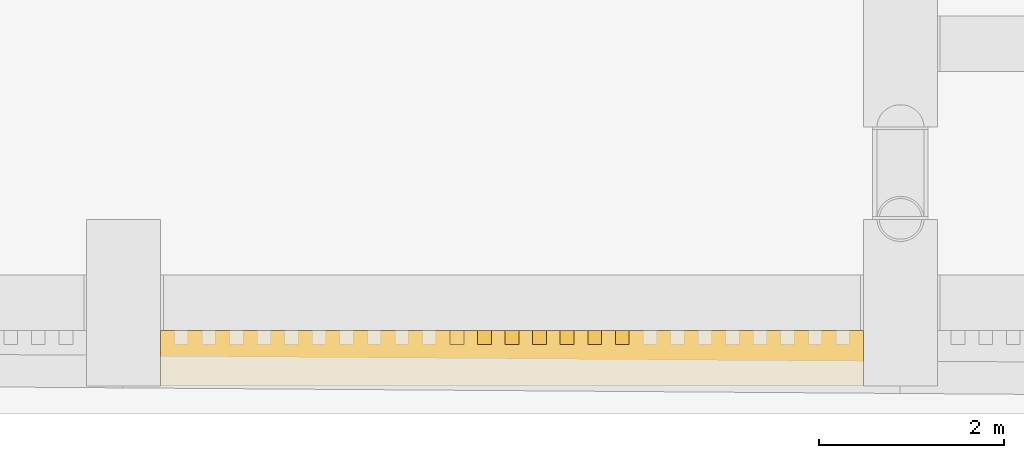
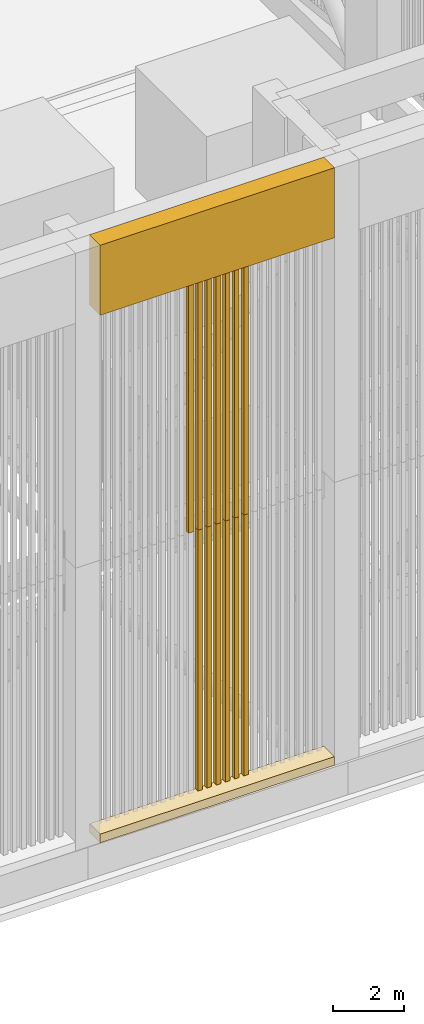
# One storey, part 12 of 27: 13 shading devices, 2 coverings.
"""IFC4 building model written with IfcOpenShell, lengths in metres."""

import ifcopenshell
import ifcopenshell.guid

model = None  # the IFC model being written
_history = None  # IfcOwnerHistory: only IFC2X3 demands one
_inside = {}  # id of a spatial element -> (the spatial element, [elements in it])
_under = {}  # id of a project, library or spatial element -> (it, [spatial elements below it])
_declared = {}  # id of a project -> (the project, [libraries it declares])
_typed = {}  # id of a type object -> (the type object, [elements of that type])
_made_of = {}  # id of a material, layer set ... -> (it, [elements and type objects made of it])


def new_model(schema):
    """Start an empty IFC model of exactly this schema.

    Asked for "IFC4X3", IfcOpenShell would pick the latest addendum, in which some entities
    have other attributes; the version numbers below select the first issue.
    IFC2X3 requires an IfcOwnerHistory on every rooted entity: one is made here for all.
    """
    global model, _history
    if schema == "IFC4X3":
        model = ifcopenshell.file(schema_version=(4, 3, 0, 0))
    else:
        model = ifcopenshell.file(schema=schema)
    _inside.clear()
    _under.clear()
    _declared.clear()
    _typed.clear()
    _made_of.clear()
    _history = None
    if model.schema == "IFC2X3":
        org = make("IfcOrganization", Name="unknown")
        user = make(
            "IfcPersonAndOrganization",
            ThePerson=make("IfcPerson", FamilyName="unknown"),
            TheOrganization=org,
        )
        app = make(
            "IfcApplication",
            ApplicationDeveloper=org,
            Version="unknown",
            ApplicationFullName="unknown",
            ApplicationIdentifier="unknown",
        )
        _history = make(
            "IfcOwnerHistory",
            OwningUser=user,
            OwningApplication=app,
            ChangeAction="ADDED",
            CreationDate=0,
        )
    return model


def make(cls, **values):
    """One entity of the class cls with the attributes given. An attribute that is None is left unset."""
    return model.create_entity(
        cls, **{name: value for name, value in values.items() if value is not None}
    )


def rooted(cls, **values):
    """An entity with a GlobalId (a new one), such as an element, a storey or a relation."""
    return make(cls, GlobalId=ifcopenshell.guid.new(), OwnerHistory=_history, **values)


def si_unit(unit_type, name, prefix=None):
    """IfcSIUnit, for example si_unit("LENGTHUNIT", "METRE", prefix="MILLI")."""
    return make("IfcSIUnit", UnitType=unit_type, Prefix=prefix, Name=name)


def assignment(units):
    """IfcUnitAssignment: the units of a project."""
    return None if units is None else make("IfcUnitAssignment", Units=units)


def point(xyz):
    """IfcCartesianPoint."""
    return None if xyz is None else make("IfcCartesianPoint", Coordinates=xyz)


def direction(xyz):
    """IfcDirection."""
    return None if xyz is None else make("IfcDirection", DirectionRatios=xyz)


def frame(location, z_axis=None, x_axis=None):
    """IfcAxis2Placement3D, a coordinate frame: its origin and axes. An axis left out is left unset."""
    return make(
        "IfcAxis2Placement3D",
        Location=point(location),
        Axis=direction(z_axis),
        RefDirection=direction(x_axis),
    )


def frame_2d(location, x_axis=None):
    """IfcAxis2Placement2D, a coordinate frame in the plane: its origin and x axis."""
    return make(
        "IfcAxis2Placement2D", Location=point(location), RefDirection=direction(x_axis)
    )


def origin():
    """The frame at (0, 0, 0) with its axes left unset."""
    return frame((0.0, 0.0, 0.0))


def origin_2d():
    """The frame at (0, 0) in the plane with its x axis left unset."""
    return frame_2d((0.0, 0.0))


def place(relative_to, where):
    """IfcLocalPlacement: puts the frame where relative to a parent placement (None: the world)."""
    return make(
        "IfcLocalPlacement", PlacementRelTo=relative_to, RelativePlacement=where
    )


def context(
    kind, dimensions, precision=None, world=None, true_north=None, identifier=None
):
    """IfcGeometricRepresentationContext, for example the 3D "Model" context."""
    return make(
        "IfcGeometricRepresentationContext",
        ContextIdentifier=identifier,
        ContextType=kind,
        CoordinateSpaceDimension=dimensions,
        Precision=precision,
        WorldCoordinateSystem=world,
        TrueNorth=true_north,
    )


def subcontext(parent, identifier, kind, view, scale=None):
    """IfcGeometricRepresentationSubContext, for example "Body" below "Model"."""
    return make(
        "IfcGeometricRepresentationSubContext",
        ContextIdentifier=identifier,
        ContextType=kind,
        ParentContext=parent,
        TargetScale=scale,
        TargetView=view,
    )


def project(units=None, contexts=None):
    """IfcProject with its units and contexts."""
    return rooted(
        "IfcProject",
        Name="project",
        RepresentationContexts=contexts,
        UnitsInContext=assignment(units),
    )


def spatial(cls, under=None, at=None, **own):
    """A site, building, storey or space (cls), placed at a placement, below another one or the project."""
    s = rooted(cls, ObjectPlacement=at, **own)
    if under is not None:
        _under.setdefault(under.id(), (under, []))[1].append(s)
    return s


def profile(cls, at=None, kind="AREA", **sizes):
    """A parametric profile (cls). Its sizes go by their IFC names, for example OverallWidth=200.0."""
    return make(cls, ProfileType=kind, Position=at, **sizes)


def rectangle(**sizes):
    """IfcRectangleProfileDef."""
    return profile("IfcRectangleProfileDef", **sizes)


def extrude(swept, where, along, depth):
    """IfcExtrudedAreaSolid: the profile swept, set in the frame where, extruded along a direction by depth."""
    return make(
        "IfcExtrudedAreaSolid",
        SweptArea=swept,
        Position=where,
        ExtrudedDirection=direction(along),
        Depth=depth,
    )


def shape(context_of_items, identifier, shape_type, items):
    """IfcShapeRepresentation: the items that make up one representation, for example the "Body"."""
    return make(
        "IfcShapeRepresentation",
        ContextOfItems=context_of_items,
        RepresentationIdentifier=identifier,
        RepresentationType=shape_type,
        Items=items,
    )


def material(Name=None, Category=None):
    """IfcMaterial."""
    return make("IfcMaterial", Name=Name, Category=Category)


def layer(
    of_material, thickness, ventilated=None, Name=None, Category=None, Priority=None
):
    """IfcMaterialLayer: one layer of a wall or slab, of a material (None: an air gap)."""
    return make(
        "IfcMaterialLayer",
        Material=of_material,
        LayerThickness=thickness,
        IsVentilated=ventilated,
        Name=Name,
        Category=Category,
        Priority=Priority,
    )


def layer_set(layers, Name=None):
    """IfcMaterialLayerSet."""
    return make("IfcMaterialLayerSet", MaterialLayers=layers, LayerSetName=Name)


def made_of(thing, what):
    """Note that an element or type object is made of a material, layer set ...; save() writes the relation."""
    if what is not None:
        _made_of.setdefault(what.id(), (what, []))[1].append(thing)
    return thing


def type_object(cls, material=None, **own):
    """A type object (cls), such as IfcWallType, which elements share."""
    return made_of(rooted(cls, **own), material)


def element(
    cls,
    number,
    at=None,
    inside=None,
    cuts=None,
    type_object=None,
    material=None,
    context=None,
    identifier="Body",
    shape_type=None,
    held_by="IfcProductDefinitionShape",
    body=None,
    shapes=None,
    **own,
):
    """One element of the class cls, such as IfcWall. Its Tag is "e" and its number.

    at: its placement. inside: the storey or other place that contains it. cuts: it is an
    opening in that element (IfcRelVoidsElement). A single representation is given by context,
    identifier, shape_type and body (its items); several are given by shapes. held_by: the class
    of the entity that holds the representations. save() writes the other relations.
    """
    e = rooted(cls, Tag="e%d" % number, ObjectPlacement=at, **own)
    if body is not None:
        shapes = [shape(context, identifier, shape_type, body)]
    if shapes is not None:
        e.Representation = make(held_by, Representations=shapes)
    if inside is not None:
        _inside.setdefault(inside.id(), (inside, []))[1].append(e)
    if cuts is not None:
        rooted(
            "IfcRelVoidsElement", RelatingBuildingElement=cuts, RelatedOpeningElement=e
        )
    if type_object is not None:
        _typed.setdefault(type_object.id(), (type_object, []))[1].append(e)
    return made_of(e, material)


def aggregate(whole, parts):
    """IfcRelAggregates: a whole, such as a stair, and the parts it consists of."""
    return rooted("IfcRelAggregates", RelatingObject=whole, RelatedObjects=parts)


def save(model, path):
    """Write the relations noted so far, then the file.

    IfcRelAggregates (storeys below a building ...), IfcRelContainedInSpatialStructure (elements
    in a storey), IfcRelDefinesByType, IfcRelAssociatesMaterial and IfcRelDeclares: one each for
    every whole, place, type object, material and project.
    """
    for whole, parts in _under.values():
        aggregate(whole, parts)
    for where, things in _inside.values():
        rooted(
            "IfcRelContainedInSpatialStructure",
            RelatedElements=things,
            RelatingStructure=where,
        )
    for kind, things in _typed.values():
        rooted("IfcRelDefinesByType", RelatedObjects=things, RelatingType=kind)
    for what, things in _made_of.values():
        rooted("IfcRelAssociatesMaterial", RelatedObjects=things, RelatingMaterial=what)
    for by, libraries in _declared.values():
        rooted("IfcRelDeclares", RelatingContext=by, RelatedDefinitions=libraries)
    model.write(path)


model = new_model("IFC4")

# Units and contexts
model_context = context("Model", 3, precision=1e-05, world=origin(), true_north=direction((0.0, 1.0)))
body_context = subcontext(model_context, "Body", "Model", "MODEL_VIEW")
ifc_project = project(units=[si_unit("LENGTHUNIT", "METRE"), si_unit("AREAUNIT", "SQUARE_METRE"), si_unit("VOLUMEUNIT", "CUBIC_METRE"), si_unit("PLANEANGLEUNIT", "RADIAN"), si_unit("MASSUNIT", "GRAM", prefix="KILO")], contexts=[model_context])

# Site, building, storey
site_placement = place(None, origin())
site = spatial("IfcSite", under=ifc_project, at=site_placement, CompositionType="ELEMENT")
building_placement = place(site_placement, origin())
building = spatial("IfcBuilding", under=site, at=building_placement, Name="Claustro Exchange Tower", CompositionType="ELEMENT")
storey_placement = place(building_placement, frame((0.0, 0.0, 287.10009765625)))
storey = spatial("IfcBuildingStorey", under=building, at=storey_placement, Name="ROOF", CompositionType="ELEMENT", Elevation=287.10009765625)

# Coverings
ifc_material_1 = material(Name="Concrete HA-40 (C40/50), precast, white cement, acid-etched", Category="concrete")
ifc_layer = layer(ifc_material_1, 0.60009765625)
ifc_layer_set = layer_set([ifc_layer], Name="Concrete HA-40 (C40/50), precast, white cement, acid-etched")
covering_type = type_object("IfcCoveringType", Name="CC2 600 precast concrete crown moulding", PredefinedType="MOLDING", material=ifc_layer_set)
covering_1_placement = place(storey_placement, frame((29.39990234375, 4.99951171875, 1.10009765625), z_axis=(0.0, 0.0, 1.0), x_axis=(1.0, 0.0, 0.0)))
element("IfcCovering", 1, at=covering_1_placement, inside=storey, type_object=covering_type, Name="CROWN SILL CC2 4/A+5600 - 5/A+5600", PredefinedType="MOLDING", context=body_context, shape_type="SweptSolid", body=[
    extrude(rectangle(XDim=7.59912109375, YDim=0.60009765625, at=origin_2d()), origin(), (0.0, 0.0, 1.0), 0.300048828125),
])
covering_2_placement = place(storey_placement, frame((29.39990234375, 4.99951171875, 19.199951171875), z_axis=(0.0, 0.0, 1.0), x_axis=(1.0, 0.0, 0.0)))
element("IfcCovering", 2, at=covering_2_placement, inside=storey, type_object=covering_type, Name="CROWN CORNICE CC2 4/A+5600 - 5/A+5600", PredefinedType="MOLDING", context=body_context, shape_type="SweptSolid", body=[
    extrude(rectangle(XDim=7.59912109375, YDim=0.60009765625, at=origin_2d()), origin(), (0.0, 0.0, 1.0), 2.39990234375),
])

# Shading devices
ifc_material_2 = material(Name="Concrete HA-40 (C40/50), precast, white cement, acid-etched", Category="concrete")
shading_device_type = type_object("IfcShadingDeviceType", Name="LV1 150 x 150 precast concrete crown louvre", PredefinedType="USERDEFINED", material=ifc_material_2)
shading_device_1_placement = place(storey_placement, frame((28.803955078125, 5.224609375, 10.349853515625), z_axis=(0.0, 0.0, 1.0), x_axis=(1.0, 0.0, 0.0)))
element("IfcShadingDevice", 3, at=shading_device_1_placement, inside=storey, type_object=shading_device_type, Name="CROWN LOUVRE LV1 4/A+5600 - 5/A+5600 11 upper", ObjectType="CROWN LOUVRE", PredefinedType="USERDEFINED", context=body_context, shape_type="SweptSolid", body=[
    extrude(rectangle(XDim=0.14990234375, YDim=0.14990234375, at=origin_2d()), origin(), (0.0, 0.0, 1.0), 8.85009765625),
])
shading_device_2_placement = place(storey_placement, frame((29.10205078125, 5.224609375, 1.39990234375), z_axis=(0.0, 0.0, 1.0), x_axis=(1.0, 0.0, 0.0)))
element("IfcShadingDevice", 4, at=shading_device_2_placement, inside=storey, type_object=shading_device_type, Name="CROWN LOUVRE LV1 4/A+5600 - 5/A+5600 12 lower", ObjectType="CROWN LOUVRE", PredefinedType="USERDEFINED", context=body_context, shape_type="SweptSolid", body=[
    extrude(rectangle(XDim=0.14990234375, YDim=0.14990234375, at=origin_2d()), origin(), (0.0, 0.0, 1.0), 8.949951171875),
])
shading_device_3_placement = place(storey_placement, frame((29.10205078125, 5.224609375, 10.349853515625), z_axis=(0.0, 0.0, 1.0), x_axis=(1.0, 0.0, 0.0)))
element("IfcShadingDevice", 5, at=shading_device_3_placement, inside=storey, type_object=shading_device_type, Name="CROWN LOUVRE LV1 4/A+5600 - 5/A+5600 12 upper", ObjectType="CROWN LOUVRE", PredefinedType="USERDEFINED", context=body_context, shape_type="SweptSolid", body=[
    extrude(rectangle(XDim=0.14990234375, YDim=0.14990234375, at=origin_2d()), origin(), (0.0, 0.0, 1.0), 8.85009765625),
])
shading_device_4_placement = place(storey_placement, frame((29.39990234375, 5.224609375, 1.39990234375), z_axis=(0.0, 0.0, 1.0), x_axis=(1.0, 0.0, 0.0)))
element("IfcShadingDevice", 6, at=shading_device_4_placement, inside=storey, type_object=shading_device_type, Name="CROWN LOUVRE LV1 4/A+5600 - 5/A+5600 13 lower", ObjectType="CROWN LOUVRE", PredefinedType="USERDEFINED", context=body_context, shape_type="SweptSolid", body=[
    extrude(rectangle(XDim=0.14990234375, YDim=0.14990234375, at=origin_2d()), origin(), (0.0, 0.0, 1.0), 8.949951171875),
])
shading_device_5_placement = place(storey_placement, frame((29.39990234375, 5.224609375, 10.349853515625), z_axis=(0.0, 0.0, 1.0), x_axis=(1.0, 0.0, 0.0)))
element("IfcShadingDevice", 7, at=shading_device_5_placement, inside=storey, type_object=shading_device_type, Name="CROWN LOUVRE LV1 4/A+5600 - 5/A+5600 13 upper", ObjectType="CROWN LOUVRE", PredefinedType="USERDEFINED", context=body_context, shape_type="SweptSolid", body=[
    extrude(rectangle(XDim=0.14990234375, YDim=0.14990234375, at=origin_2d()), origin(), (0.0, 0.0, 1.0), 8.85009765625),
])
shading_device_6_placement = place(storey_placement, frame((29.697998046875, 5.224609375, 1.39990234375), z_axis=(0.0, 0.0, 1.0), x_axis=(1.0, 0.0, 0.0)))
element("IfcShadingDevice", 8, at=shading_device_6_placement, inside=storey, type_object=shading_device_type, Name="CROWN LOUVRE LV1 4/A+5600 - 5/A+5600 14 lower", ObjectType="CROWN LOUVRE", PredefinedType="USERDEFINED", context=body_context, shape_type="SweptSolid", body=[
    extrude(rectangle(XDim=0.14990234375, YDim=0.14990234375, at=origin_2d()), origin(), (0.0, 0.0, 1.0), 8.949951171875),
])
shading_device_7_placement = place(storey_placement, frame((29.697998046875, 5.224609375, 10.349853515625), z_axis=(0.0, 0.0, 1.0), x_axis=(1.0, 0.0, 0.0)))
element("IfcShadingDevice", 9, at=shading_device_7_placement, inside=storey, type_object=shading_device_type, Name="CROWN LOUVRE LV1 4/A+5600 - 5/A+5600 14 upper", ObjectType="CROWN LOUVRE", PredefinedType="USERDEFINED", context=body_context, shape_type="SweptSolid", body=[
    extrude(rectangle(XDim=0.14990234375, YDim=0.14990234375, at=origin_2d()), origin(), (0.0, 0.0, 1.0), 8.85009765625),
])
shading_device_8_placement = place(storey_placement, frame((29.99609375, 5.224609375, 1.39990234375), z_axis=(0.0, 0.0, 1.0), x_axis=(1.0, 0.0, 0.0)))
element("IfcShadingDevice", 10, at=shading_device_8_placement, inside=storey, type_object=shading_device_type, Name="CROWN LOUVRE LV1 4/A+5600 - 5/A+5600 15 lower", ObjectType="CROWN LOUVRE", PredefinedType="USERDEFINED", context=body_context, shape_type="SweptSolid", body=[
    extrude(rectangle(XDim=0.14990234375, YDim=0.14990234375, at=origin_2d()), origin(), (0.0, 0.0, 1.0), 8.949951171875),
])
shading_device_9_placement = place(storey_placement, frame((29.99609375, 5.224609375, 10.349853515625), z_axis=(0.0, 0.0, 1.0), x_axis=(1.0, 0.0, 0.0)))
element("IfcShadingDevice", 11, at=shading_device_9_placement, inside=storey, type_object=shading_device_type, Name="CROWN LOUVRE LV1 4/A+5600 - 5/A+5600 15 upper", ObjectType="CROWN LOUVRE", PredefinedType="USERDEFINED", context=body_context, shape_type="SweptSolid", body=[
    extrude(rectangle(XDim=0.14990234375, YDim=0.14990234375, at=origin_2d()), origin(), (0.0, 0.0, 1.0), 8.85009765625),
])
shading_device_10_placement = place(storey_placement, frame((30.294189453125, 5.224609375, 1.39990234375), z_axis=(0.0, 0.0, 1.0), x_axis=(1.0, 0.0, 0.0)))
element("IfcShadingDevice", 12, at=shading_device_10_placement, inside=storey, type_object=shading_device_type, Name="CROWN LOUVRE LV1 4/A+5600 - 5/A+5600 16 lower", ObjectType="CROWN LOUVRE", PredefinedType="USERDEFINED", context=body_context, shape_type="SweptSolid", body=[
    extrude(rectangle(XDim=0.14990234375, YDim=0.14990234375, at=origin_2d()), origin(), (0.0, 0.0, 1.0), 8.949951171875),
])
shading_device_11_placement = place(storey_placement, frame((30.294189453125, 5.224609375, 10.349853515625), z_axis=(0.0, 0.0, 1.0), x_axis=(1.0, 0.0, 0.0)))
element("IfcShadingDevice", 13, at=shading_device_11_placement, inside=storey, type_object=shading_device_type, Name="CROWN LOUVRE LV1 4/A+5600 - 5/A+5600 16 upper", ObjectType="CROWN LOUVRE", PredefinedType="USERDEFINED", context=body_context, shape_type="SweptSolid", body=[
    extrude(rectangle(XDim=0.14990234375, YDim=0.14990234375, at=origin_2d()), origin(), (0.0, 0.0, 1.0), 8.85009765625),
])
shading_device_12_placement = place(storey_placement, frame((30.59228515625, 5.224609375, 1.39990234375), z_axis=(0.0, 0.0, 1.0), x_axis=(1.0, 0.0, 0.0)))
element("IfcShadingDevice", 14, at=shading_device_12_placement, inside=storey, type_object=shading_device_type, Name="CROWN LOUVRE LV1 4/A+5600 - 5/A+5600 17 lower", ObjectType="CROWN LOUVRE", PredefinedType="USERDEFINED", context=body_context, shape_type="SweptSolid", body=[
    extrude(rectangle(XDim=0.14990234375, YDim=0.14990234375, at=origin_2d()), origin(), (0.0, 0.0, 1.0), 8.949951171875),
])
shading_device_13_placement = place(storey_placement, frame((30.59228515625, 5.224609375, 10.349853515625), z_axis=(0.0, 0.0, 1.0), x_axis=(1.0, 0.0, 0.0)))
element("IfcShadingDevice", 15, at=shading_device_13_placement, inside=storey, type_object=shading_device_type, Name="CROWN LOUVRE LV1 4/A+5600 - 5/A+5600 17 upper", ObjectType="CROWN LOUVRE", PredefinedType="USERDEFINED", context=body_context, shape_type="SweptSolid", body=[
    extrude(rectangle(XDim=0.14990234375, YDim=0.14990234375, at=origin_2d()), origin(), (0.0, 0.0, 1.0), 8.85009765625),
])

save(model, "model.ifc")
